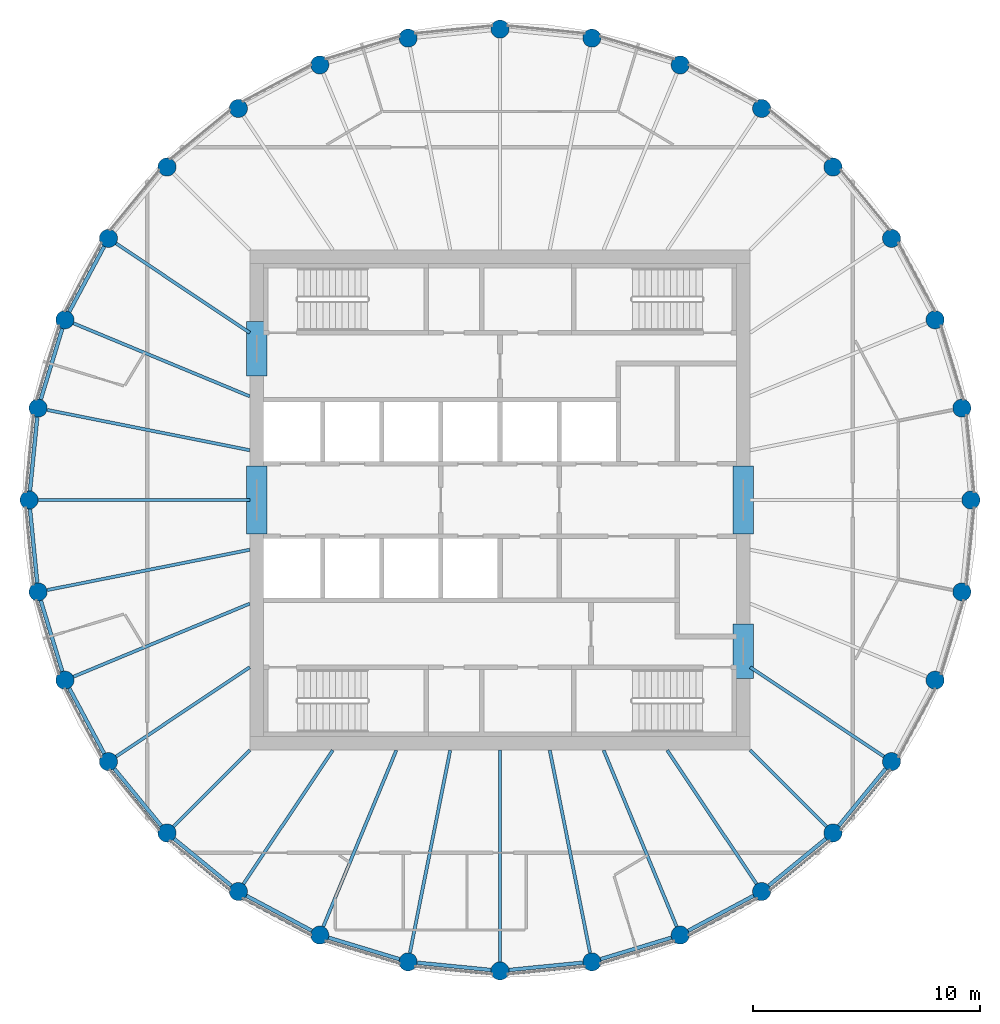
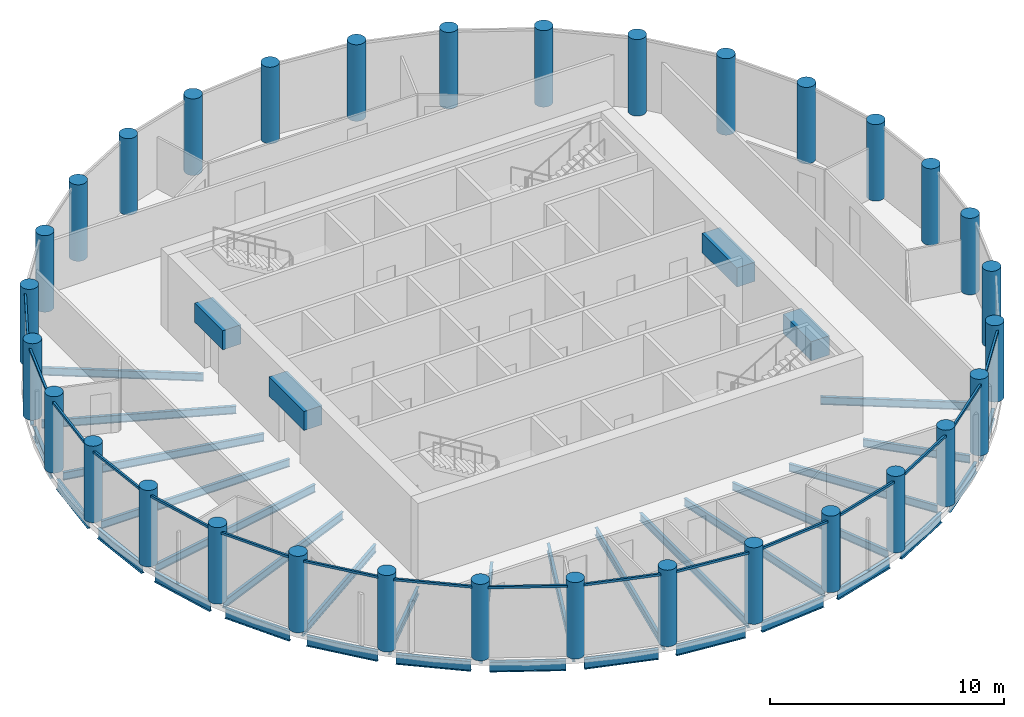
# One storey, part 1 of 7: 37 beams, 32 columns, 16 members, 16 elements without a shape of their own.
"""IFC4 building model written with IfcOpenShell, lengths in metres."""

from ifc_helpers import new_model, si_unit, direction, frame, origin, origin_2d, place, context, subcontext, project, spatial, rectangle, circle, i_section, extrude, material, material_profile, profile_set, type_object, element, aggregate, save


model = new_model("IFC4")

# Units and contexts
model_context = context("Model", 3, precision=1e-05, world=origin(), true_north=direction((0.0, 1.0)))
body_context = subcontext(model_context, "Body", "Model", "MODEL_VIEW")
ifc_project = project(units=[si_unit("LENGTHUNIT", "METRE"), si_unit("AREAUNIT", "SQUARE_METRE"), si_unit("VOLUMEUNIT", "CUBIC_METRE"), si_unit("PLANEANGLEUNIT", "RADIAN"), si_unit("MASSUNIT", "GRAM", prefix="KILO")], contexts=[model_context])

# Site, building, storey
site_placement = place(None, origin())
site = spatial("IfcSite", under=ifc_project, at=site_placement, CompositionType="ELEMENT")
building_placement = place(site_placement, origin())
building = spatial("IfcBuilding", under=site, at=building_placement, Name="Corvane Civic Tower", CompositionType="ELEMENT")
storey_placement = place(building_placement, frame((0.0, 0.0, 372.5)))
storey = spatial("IfcBuildingStorey", under=building, at=storey_placement, Name="L89", CompositionType="ELEMENT", Elevation=372.5)

# Columns
ifc_material_1 = material(Name="Concrete C60/75", Category="concrete")
ifc_material_profile_1 = material_profile(ifc_material_1, circle(Radius=0.39990234375, at=origin_2d()), Name="COLUMN 800")
ifc_profile_set_1 = profile_set([ifc_material_profile_1], Name="Concrete C60/75")
column_type = type_object("IfcColumnType", Name="RC COLUMN COLUMN 800", PredefinedType="COLUMN", material=ifc_profile_set_1)
for number, where, z_axis, x_axis, name in (
    (1, (0.0, 20.699951171875, 0.0), (0.0, 0.0, 1.0), (1.0, 0.0, 0.0), "COL-L89-F01"),
    (2, (4.038330078125, 20.30224609375, 0.0), (0.0, 0.0, 1.0), (1.0, 0.0, 0.0), "COL-L89-F02"),
    (3, (7.921630859375, 19.124267578125, 0.0), (0.0, 0.0, 1.0), (1.0, 0.0, 0.0), "COL-L89-F03"),
    (4, (11.500244140625, 17.21142578125, 0.0), (0.0, 0.0, 1.0), (1.0, 0.0, 0.0), "COL-L89-F04"),
    (5, (14.63720703125, 14.63720703125, 0.0), (0.0, 0.0, 1.0), (1.0, 0.0, 0.0), "COL-L89-F05"),
    (6, (17.21142578125, 11.500244140625, 0.0), (0.0, 0.0, 1.0), (1.0, 0.0, 0.0), "COL-L89-F06"),
    (7, (19.124267578125, 7.921630859375, 0.0), (0.0, 0.0, 1.0), (1.0, 0.0, 0.0), "COL-L89-F07"),
    (8, (20.30224609375, 4.038330078125, 0.0), (0.0, 0.0, 1.0), (1.0, 0.0, 0.0), "COL-L89-F08"),
    (9, (20.699951171875, 0.0, 0.0), (0.0, 0.0, 1.0), (1.0, 0.0, 0.0), "COL-L89-F09"),
    (10, (20.30224609375, -4.038330078125, 0.0), (0.0, 0.0, 1.0), (1.0, 0.0, 0.0), "COL-L89-F10"),
    (11, (19.124267578125, -7.921630859375, 0.0), (0.0, 0.0, 1.0), (1.0, 0.0, 0.0), "COL-L89-F11"),
    (12, (17.21142578125, -11.500244140625, 0.0), (0.0, 0.0, 1.0), (1.0, 0.0, 0.0), "COL-L89-F12"),
    (13, (14.63720703125, -14.63720703125, 0.0), (0.0, 0.0, 1.0), (1.0, 0.0, 0.0), "COL-L89-F13"),
    (14, (11.500244140625, -17.21142578125, 0.0), (0.0, 0.0, 1.0), (1.0, 0.0, 0.0), "COL-L89-F14"),
    (15, (7.921630859375, -19.124267578125, 0.0), (0.0, 0.0, 1.0), (1.0, 0.0, 0.0), "COL-L89-F15"),
    (16, (4.038330078125, -20.30224609375, 0.0), (0.0, 0.0, 1.0), (1.0, 0.0, 0.0), "COL-L89-F16"),
    (17, (0.0, -20.699951171875, 0.0), (0.0, 0.0, 1.0), (1.0, 0.0, 0.0), "COL-L89-F17"),
    (18, (-4.038330078125, -20.30224609375, 0.0), (0.0, 0.0, 1.0), (1.0, 0.0, 0.0), "COL-L89-F18"),
    (19, (-7.921630859375, -19.124267578125, 0.0), (0.0, 0.0, 1.0), (1.0, 0.0, 0.0), "COL-L89-F19"),
    (20, (-11.500244140625, -17.21142578125, 0.0), (0.0, 0.0, 1.0), (1.0, 0.0, 0.0), "COL-L89-F20"),
    (21, (-14.63720703125, -14.63720703125, 0.0), (0.0, 0.0, 1.0), (1.0, 0.0, 0.0), "COL-L89-F21"),
    (22, (-17.21142578125, -11.500244140625, 0.0), (0.0, 0.0, 1.0), (1.0, 0.0, 0.0), "COL-L89-F22"),
    (23, (-19.124267578125, -7.921630859375, 0.0), (0.0, 0.0, 1.0), (1.0, 0.0, 0.0), "COL-L89-F23"),
    (24, (-20.30224609375, -4.038330078125, 0.0), (0.0, 0.0, 1.0), (1.0, 0.0, 0.0), "COL-L89-F24"),
    (25, (-20.699951171875, 0.0, 0.0), (0.0, 0.0, 1.0), (1.0, 0.0, 0.0), "COL-L89-F25"),
    (26, (-20.30224609375, 4.038330078125, 0.0), (0.0, 0.0, 1.0), (1.0, 0.0, 0.0), "COL-L89-F26"),
    (27, (-19.124267578125, 7.921630859375, 0.0), (0.0, 0.0, 1.0), (1.0, 0.0, 0.0), "COL-L89-F27"),
    (28, (-17.21142578125, 11.500244140625, 0.0), (0.0, 0.0, 1.0), (1.0, 0.0, 0.0), "COL-L89-F28"),
    (29, (-14.63720703125, 14.63720703125, 0.0), (0.0, 0.0, 1.0), (1.0, 0.0, 0.0), "COL-L89-F29"),
    (30, (-11.500244140625, 17.21142578125, 0.0), (0.0, 0.0, 1.0), (1.0, 0.0, 0.0), "COL-L89-F30"),
    (31, (-7.921630859375, 19.124267578125, 0.0), (0.0, 0.0, 1.0), (1.0, 0.0, 0.0), "COL-L89-F31"),
    (32, (-4.038330078125, 20.30224609375, 0.0), (0.0, 0.0, 1.0), (1.0, 0.0, 0.0), "COL-L89-F32"),
):
    element("IfcColumn", number, at=place(storey_placement, frame(where, z_axis=z_axis, x_axis=x_axis)), inside=storey, type_object=column_type, Name=name, PredefinedType="COLUMN", context=body_context, shape_type="SweptSolid", body=[
        extrude(circle(Radius=0.39990234375, at=origin_2d()), origin(), (0.0, 0.0, 1.0), 4.0),
    ])

# Beams
ifc_material_2 = material(Name="Concrete C40/50", Category="concrete")
ifc_material_profile_2 = material_profile(ifc_material_2, rectangle(XDim=0.89990234375, YDim=1.0, at=origin_2d()), Name="COUPLING BEAM 900X1000")
ifc_profile_set_2 = profile_set([ifc_material_profile_2], Name="Concrete C40/50")
beam_type_1 = type_object("IfcBeamType", Name="COUPLING BEAM COUPLING BEAM 900X1000", PredefinedType="BEAM", material=ifc_profile_set_2)
for number, where, z_axis, x_axis, name in (
    (33, (-10.699951171875, -1.5, 2.60009765625), (0.0, 1.0, 0.0), (-1.0, 0.0, 0.0), "BM-L89-cpl-CW-LW"),
    (34, (10.699951171875, -1.5, 2.60009765625), (0.0, 1.0, 0.0), (-1.0, 0.0, 0.0), "BM-L89-cpl-CW-LE"),
):
    element("IfcBeam", number, at=place(storey_placement, frame(where, z_axis=z_axis, x_axis=x_axis)), inside=storey, type_object=beam_type_1, Name=name, PredefinedType="BEAM", context=body_context, shape_type="SweptSolid", body=[
        extrude(rectangle(XDim=0.89990234375, YDim=1.0, at=origin_2d()), origin(), (0.0, 0.0, 1.0), 3.0),
    ])
for number, where, z_axis, x_axis, name in (
    (35, (-10.699951171875, 5.449951171875, 2.60009765625), (0.0, 1.0, 0.0), (-1.0, 0.0, 0.0), "BM-L89-cpl-CW-WN"),
    (36, (10.699951171875, -7.85009765625, 2.60009765625), (0.0, 1.0, 0.0), (-1.0, 0.0, 0.0), "BM-L89-cpl-CW-ES"),
):
    element("IfcBeam", number, at=place(storey_placement, frame(where, z_axis=z_axis, x_axis=x_axis)), inside=storey, type_object=beam_type_1, Name=name, PredefinedType="BEAM", context=body_context, shape_type="SweptSolid", body=[
        extrude(rectangle(XDim=0.89990234375, YDim=1.0, at=origin_2d()), origin(), (0.0, 0.0, 1.0), 2.400146484375),
    ])
ifc_material_3 = material(Name="Steel ASTM A992 Gr 50", Category="steel")
ifc_material_profile_3 = material_profile(ifc_material_3, i_section(OverallWidth=0.165771484375, OverallDepth=0.5283203125, WebThickness=0.009765625, FlangeThickness=0.013671875, at=origin_2d()), Name="W21X50")
ifc_profile_set_3 = profile_set([ifc_material_profile_3], Name="Steel ASTM A992 Gr 50")
beam_type_2 = type_object("IfcBeamType", Name="EDGE BEAM W21X50", PredefinedType="BEAM", material=ifc_profile_set_3)
for number, where, z_axis, x_axis, name in (
    (37, (16.957763671875, -11.8095703125, -0.564208984375), (-0.634424551454, -0.772984791903, 0.0), (0.772984791903, -0.634424551454, 0.0), "BM-L89-E12"),
    (38, (14.327880859375, -14.890869140625, -0.564208984375), (-0.772984791903, -0.634424551454, 0.0), (0.634424551454, -0.772984791903, 0.0), "BM-L89-E13"),
    (39, (11.1474609375, -17.39990234375, -0.564208984375), (-0.881894065907, -0.471447618, 0.0), (0.471447618, -0.881894065907, 0.0), "BM-L89-E14"),
    (40, (7.538818359375, -19.240478515625, -0.564208984375), (-0.956955679349, -0.290234091317, 0.0), (0.290234091317, -0.956955679349, 0.0), "BM-L89-E15"),
):
    element("IfcBeam", number, at=place(storey_placement, frame(where, z_axis=z_axis, x_axis=x_axis)), inside=storey, type_object=beam_type_2, Name=name, PredefinedType="BEAM", context=body_context, shape_type="SweptSolid", body=[
        extrude(i_section(OverallWidth=0.165771484375, OverallDepth=0.5283203125, WebThickness=0.009765625, FlangeThickness=0.013671875, at=origin_2d()), origin(), (0.0, 0.0, 1.0), 3.2578125),
    ])
for number, where, z_axis, x_axis, name in (
    (41, (3.640380859375, -20.341552734375, -0.564208984375), (-0.995192503142, -0.097938152369, 0.0), (0.097938152369, -0.995192503142, 0.0), "BM-L89-E16"),
    (42, (-0.39794921875, -20.66064453125, -0.564208984375), (-0.995192503142, 0.097938152369, 0.0), (-0.097938152369, -0.995192503142, 0.0), "BM-L89-E17"),
):
    element("IfcBeam", number, at=place(storey_placement, frame(where, z_axis=z_axis, x_axis=x_axis)), inside=storey, type_object=beam_type_2, Name=name, PredefinedType="BEAM", context=body_context, shape_type="SweptSolid", body=[
        extrude(i_section(OverallWidth=0.165771484375, OverallDepth=0.5283203125, WebThickness=0.009765625, FlangeThickness=0.013671875, at=origin_2d()), origin(), (0.0, 0.0, 1.0), 3.258056640625),
    ])
for number, where, z_axis, x_axis, name in (
    (43, (-4.421142578125, -20.18603515625, -0.564208984375), (-0.956955679349, 0.290234091317, 0.0), (-0.290234091317, -0.956955679349, 0.0), "BM-L89-E18"),
    (44, (-8.2744140625, -18.935791015625, -0.564208984375), (-0.881894065907, 0.471447618, 0.0), (-0.471447618, -0.881894065907, 0.0), "BM-L89-E19"),
    (45, (-11.8095703125, -16.957763671875, -0.564208984375), (-0.772984791903, 0.634424551454, 0.0), (-0.634424551454, -0.772984791903, 0.0), "BM-L89-E20"),
    (46, (-14.890869140625, -14.327880859375, -0.564208984375), (-0.634424551454, 0.772984791903, 0.0), (-0.772984791903, -0.634424551454, 0.0), "BM-L89-E21"),
    (47, (-17.39990234375, -11.1474609375, -0.564208984375), (-0.471447618, 0.881894065907, 0.0), (-0.881894065907, -0.471447618, 0.0), "BM-L89-E22"),
    (48, (-19.240478515625, -7.538818359375, -0.564208984375), (-0.290234091317, 0.956955679349, 0.0), (-0.956955679349, -0.290234091317, 0.0), "BM-L89-E23"),
):
    element("IfcBeam", number, at=place(storey_placement, frame(where, z_axis=z_axis, x_axis=x_axis)), inside=storey, type_object=beam_type_2, Name=name, PredefinedType="BEAM", context=body_context, shape_type="SweptSolid", body=[
        extrude(i_section(OverallWidth=0.165771484375, OverallDepth=0.5283203125, WebThickness=0.009765625, FlangeThickness=0.013671875, at=origin_2d()), origin(), (0.0, 0.0, 1.0), 3.2578125),
    ])
for number, where, z_axis, x_axis, name in (
    (49, (-20.341552734375, -3.640380859375, -0.564208984375), (-0.097938152369, 0.995192503142, 0.0), (-0.995192503142, -0.097938152369, 0.0), "BM-L89-E24"),
    (50, (-20.66064453125, 0.39794921875, -0.564208984375), (0.097938152369, 0.995192503142, 0.0), (-0.995192503142, 0.097938152369, 0.0), "BM-L89-E25"),
):
    element("IfcBeam", number, at=place(storey_placement, frame(where, z_axis=z_axis, x_axis=x_axis)), inside=storey, type_object=beam_type_2, Name=name, PredefinedType="BEAM", context=body_context, shape_type="SweptSolid", body=[
        extrude(i_section(OverallWidth=0.165771484375, OverallDepth=0.5283203125, WebThickness=0.009765625, FlangeThickness=0.013671875, at=origin_2d()), origin(), (0.0, 0.0, 1.0), 3.258056640625),
    ])
for number, where, z_axis, x_axis, name in (
    (51, (-20.18603515625, 4.421142578125, -0.564208984375), (0.290234091317, 0.956955679349, 0.0), (-0.956955679349, 0.290234091317, 0.0), "BM-L89-E26"),
    (52, (-18.935791015625, 8.2744140625, -0.564208984375), (0.471447618, 0.881894065907, 0.0), (-0.881894065907, 0.471447618, 0.0), "BM-L89-E27"),
):
    element("IfcBeam", number, at=place(storey_placement, frame(where, z_axis=z_axis, x_axis=x_axis)), inside=storey, type_object=beam_type_2, Name=name, PredefinedType="BEAM", context=body_context, shape_type="SweptSolid", body=[
        extrude(i_section(OverallWidth=0.165771484375, OverallDepth=0.5283203125, WebThickness=0.009765625, FlangeThickness=0.013671875, at=origin_2d()), origin(), (0.0, 0.0, 1.0), 3.2578125),
    ])
ifc_material_4 = material(Name="Steel ASTM A992 Gr 50", Category="steel")
ifc_material_profile_4 = material_profile(ifc_material_4, i_section(OverallWidth=0.140380859375, OverallDepth=0.40380859375, WebThickness=0.007080078125, FlangeThickness=0.01123046875, at=origin_2d()), Name="W16X31")
ifc_profile_set_4 = profile_set([ifc_material_profile_4], Name="Steel ASTM A992 Gr 50")
beam_type_3 = type_object("IfcBeamType", Name="FLOOR GIRDER W16X31", PredefinedType="BEAM", material=ifc_profile_set_4)
beam_1_placement = place(storey_placement, frame((11.0, -7.349853515625, -0.501953125), z_axis=(0.831465490699, -0.555576401385, 0.0), x_axis=(0.555576401385, 0.831465490699, 0.0)))
element("IfcBeam", 53, at=beam_1_placement, inside=storey, type_object=beam_type_3, Name="BM-L89-G12", PredefinedType="BEAM", context=body_context, shape_type="SweptSolid", body=[
    extrude(i_section(OverallWidth=0.140380859375, OverallDepth=0.40380859375, WebThickness=0.007080078125, FlangeThickness=0.01123046875, at=origin_2d()), origin(), (0.0, 0.0, 1.0), 7.070556640625),
])
beam_2_placement = place(storey_placement, frame((11.0, -11.0, -0.501953125), z_axis=(0.707106781187, -0.707106781187, 0.0), x_axis=(0.707106781187, 0.707106781187, 0.0)))
element("IfcBeam", 54, at=beam_2_placement, inside=storey, type_object=beam_type_3, Name="BM-L89-G13", PredefinedType="BEAM", context=body_context, shape_type="SweptSolid", body=[
    extrude(i_section(OverallWidth=0.140380859375, OverallDepth=0.40380859375, WebThickness=0.007080078125, FlangeThickness=0.01123046875, at=origin_2d()), origin(), (0.0, 0.0, 1.0), 4.74365234375),
])
beam_3_placement = place(storey_placement, frame((7.349853515625, -11.0, -0.501953125), z_axis=(0.555576401385, -0.831465490699, 0.0), x_axis=(0.831465490699, 0.555576401385, 0.0)))
element("IfcBeam", 55, at=beam_3_placement, inside=storey, type_object=beam_type_3, Name="BM-L89-G14", PredefinedType="BEAM", context=body_context, shape_type="SweptSolid", body=[
    extrude(i_section(OverallWidth=0.140380859375, OverallDepth=0.40380859375, WebThickness=0.007080078125, FlangeThickness=0.01123046875, at=origin_2d()), origin(), (0.0, 0.0, 1.0), 7.070556640625),
])
beam_4_placement = place(storey_placement, frame((4.556396484375, -11.0, -0.501953125), z_axis=(0.382691739894, -0.923876091377, 0.0), x_axis=(0.923876091377, 0.382691739894, 0.0)))
element("IfcBeam", 56, at=beam_4_placement, inside=storey, type_object=beam_type_3, Name="BM-L89-G15", PredefinedType="BEAM", context=body_context, shape_type="SweptSolid", body=[
    extrude(i_section(OverallWidth=0.140380859375, OverallDepth=0.40380859375, WebThickness=0.007080078125, FlangeThickness=0.01123046875, at=origin_2d()), origin(), (0.0, 0.0, 1.0), 8.3935546875),
])
beam_5_placement = place(storey_placement, frame((2.18798828125, -11.0, -0.501953125), z_axis=(0.195108241061, -0.980781715913, 0.0), x_axis=(0.980781715913, 0.195108241061, 0.0)))
element("IfcBeam", 57, at=beam_5_placement, inside=storey, type_object=beam_type_3, Name="BM-L89-G16", PredefinedType="BEAM", context=body_context, shape_type="SweptSolid", body=[
    extrude(i_section(OverallWidth=0.140380859375, OverallDepth=0.40380859375, WebThickness=0.007080078125, FlangeThickness=0.01123046875, at=origin_2d()), origin(), (0.0, 0.0, 1.0), 9.08447265625),
])
beam_6_placement = place(storey_placement, frame((0.0, -11.0, -0.501953125), z_axis=(0.0, -1.0, 0.0), x_axis=(1.0, 0.0, 0.0)))
element("IfcBeam", 58, at=beam_6_placement, inside=storey, type_object=beam_type_3, Name="BM-L89-G17", PredefinedType="BEAM", context=body_context, shape_type="SweptSolid", body=[
    extrude(i_section(OverallWidth=0.140380859375, OverallDepth=0.40380859375, WebThickness=0.007080078125, FlangeThickness=0.01123046875, at=origin_2d()), origin(), (0.0, 0.0, 1.0), 9.300048828125),
])
beam_7_placement = place(storey_placement, frame((-2.18798828125, -11.0, -0.501953125), z_axis=(-0.195108241061, -0.980781715913, 0.0), x_axis=(0.980781715913, -0.195108241061, 0.0)))
element("IfcBeam", 59, at=beam_7_placement, inside=storey, type_object=beam_type_3, Name="BM-L89-G18", PredefinedType="BEAM", context=body_context, shape_type="SweptSolid", body=[
    extrude(i_section(OverallWidth=0.140380859375, OverallDepth=0.40380859375, WebThickness=0.007080078125, FlangeThickness=0.01123046875, at=origin_2d()), origin(), (0.0, 0.0, 1.0), 9.08447265625),
])
beam_8_placement = place(storey_placement, frame((-4.556396484375, -11.0, -0.501953125), z_axis=(-0.382691739894, -0.923876091377, 0.0), x_axis=(0.923876091377, -0.382691739894, 0.0)))
element("IfcBeam", 60, at=beam_8_placement, inside=storey, type_object=beam_type_3, Name="BM-L89-G19", PredefinedType="BEAM", context=body_context, shape_type="SweptSolid", body=[
    extrude(i_section(OverallWidth=0.140380859375, OverallDepth=0.40380859375, WebThickness=0.007080078125, FlangeThickness=0.01123046875, at=origin_2d()), origin(), (0.0, 0.0, 1.0), 8.3935546875),
])
beam_9_placement = place(storey_placement, frame((-7.349853515625, -11.0, -0.501953125), z_axis=(-0.555576401385, -0.831465490699, 0.0), x_axis=(0.831465490699, -0.555576401385, 0.0)))
element("IfcBeam", 61, at=beam_9_placement, inside=storey, type_object=beam_type_3, Name="BM-L89-G20", PredefinedType="BEAM", context=body_context, shape_type="SweptSolid", body=[
    extrude(i_section(OverallWidth=0.140380859375, OverallDepth=0.40380859375, WebThickness=0.007080078125, FlangeThickness=0.01123046875, at=origin_2d()), origin(), (0.0, 0.0, 1.0), 7.070556640625),
])
beam_10_placement = place(storey_placement, frame((-11.0, -11.0, -0.501953125), z_axis=(-0.707106781187, -0.707106781187, 0.0), x_axis=(0.707106781187, -0.707106781187, 0.0)))
element("IfcBeam", 62, at=beam_10_placement, inside=storey, type_object=beam_type_3, Name="BM-L89-G21", PredefinedType="BEAM", context=body_context, shape_type="SweptSolid", body=[
    extrude(i_section(OverallWidth=0.140380859375, OverallDepth=0.40380859375, WebThickness=0.007080078125, FlangeThickness=0.01123046875, at=origin_2d()), origin(), (0.0, 0.0, 1.0), 4.74365234375),
])
beam_11_placement = place(storey_placement, frame((-11.0, -7.349853515625, -0.501953125), z_axis=(-0.831465490699, -0.555576401385, 0.0), x_axis=(0.555576401385, -0.831465490699, 0.0)))
element("IfcBeam", 63, at=beam_11_placement, inside=storey, type_object=beam_type_3, Name="BM-L89-G22", PredefinedType="BEAM", context=body_context, shape_type="SweptSolid", body=[
    extrude(i_section(OverallWidth=0.140380859375, OverallDepth=0.40380859375, WebThickness=0.007080078125, FlangeThickness=0.01123046875, at=origin_2d()), origin(), (0.0, 0.0, 1.0), 7.070556640625),
])
beam_12_placement = place(storey_placement, frame((-11.0, -4.556396484375, -0.501953125), z_axis=(-0.923876091377, -0.382691739894, 0.0), x_axis=(0.382691739894, -0.923876091377, 0.0)))
element("IfcBeam", 64, at=beam_12_placement, inside=storey, type_object=beam_type_3, Name="BM-L89-G23", PredefinedType="BEAM", context=body_context, shape_type="SweptSolid", body=[
    extrude(i_section(OverallWidth=0.140380859375, OverallDepth=0.40380859375, WebThickness=0.007080078125, FlangeThickness=0.01123046875, at=origin_2d()), origin(), (0.0, 0.0, 1.0), 8.3935546875),
])
beam_13_placement = place(storey_placement, frame((-11.0, -2.18798828125, -0.501953125), z_axis=(-0.980781715913, -0.195108241061, 0.0), x_axis=(0.195108241061, -0.980781715913, 0.0)))
element("IfcBeam", 65, at=beam_13_placement, inside=storey, type_object=beam_type_3, Name="BM-L89-G24", PredefinedType="BEAM", context=body_context, shape_type="SweptSolid", body=[
    extrude(i_section(OverallWidth=0.140380859375, OverallDepth=0.40380859375, WebThickness=0.007080078125, FlangeThickness=0.01123046875, at=origin_2d()), origin(), (0.0, 0.0, 1.0), 9.08447265625),
])
beam_14_placement = place(storey_placement, frame((-11.0, 0.0, -0.501953125), z_axis=(-1.0, 0.0, 0.0), x_axis=(0.0, -1.0, 0.0)))
element("IfcBeam", 66, at=beam_14_placement, inside=storey, type_object=beam_type_3, Name="BM-L89-G25", PredefinedType="BEAM", context=body_context, shape_type="SweptSolid", body=[
    extrude(i_section(OverallWidth=0.140380859375, OverallDepth=0.40380859375, WebThickness=0.007080078125, FlangeThickness=0.01123046875, at=origin_2d()), origin(), (0.0, 0.0, 1.0), 9.300048828125),
])
beam_15_placement = place(storey_placement, frame((-11.0, 2.18798828125, -0.501953125), z_axis=(-0.980781715913, 0.195108241061, 0.0), x_axis=(-0.195108241061, -0.980781715913, 0.0)))
element("IfcBeam", 67, at=beam_15_placement, inside=storey, type_object=beam_type_3, Name="BM-L89-G26", PredefinedType="BEAM", context=body_context, shape_type="SweptSolid", body=[
    extrude(i_section(OverallWidth=0.140380859375, OverallDepth=0.40380859375, WebThickness=0.007080078125, FlangeThickness=0.01123046875, at=origin_2d()), origin(), (0.0, 0.0, 1.0), 9.08447265625),
])
beam_16_placement = place(storey_placement, frame((-11.0, 4.556396484375, -0.501953125), z_axis=(-0.923876091377, 0.382691739894, 0.0), x_axis=(-0.382691739894, -0.923876091377, 0.0)))
element("IfcBeam", 68, at=beam_16_placement, inside=storey, type_object=beam_type_3, Name="BM-L89-G27", PredefinedType="BEAM", context=body_context, shape_type="SweptSolid", body=[
    extrude(i_section(OverallWidth=0.140380859375, OverallDepth=0.40380859375, WebThickness=0.007080078125, FlangeThickness=0.01123046875, at=origin_2d()), origin(), (0.0, 0.0, 1.0), 8.3935546875),
])
beam_17_placement = place(storey_placement, frame((-11.0, 7.349853515625, -0.501953125), z_axis=(-0.831465490699, 0.555576401385, 0.0), x_axis=(-0.555576401385, -0.831465490699, 0.0)))
element("IfcBeam", 69, at=beam_17_placement, inside=storey, type_object=beam_type_3, Name="BM-L89-G28", PredefinedType="BEAM", context=body_context, shape_type="SweptSolid", body=[
    extrude(i_section(OverallWidth=0.140380859375, OverallDepth=0.40380859375, WebThickness=0.007080078125, FlangeThickness=0.01123046875, at=origin_2d()), origin(), (0.0, 0.0, 1.0), 7.070556640625),
])

# Curtain wall, member
ifc_material_5 = material(Name="Anodised aluminium bronze", Category="aluminium")
curtain_wall_type = type_object("IfcCurtainWallType", Name="TOWER CW-T3 STICK CURTAIN WALL", PredefinedType="NOTDEFINED", material=ifc_material_5)
curtain_wall_1_placement = place(storey_placement, origin())
curtain_wall_1 = element("IfcCurtainWall", 70, at=curtain_wall_1_placement, inside=storey, type_object=curtain_wall_type, Name="Curtain wall CW-T3 L89 bay 12", PredefinedType="NOTDEFINED")
ifc_material_6 = material(Name="Anodised aluminium bronze", Category="aluminium")
ifc_material_profile_5 = material_profile(ifc_material_6, rectangle(XDim=0.10009765625, YDim=0.1201171875, at=origin_2d()), Name="TOWER CW-T3 TRANSOM 100x120")
ifc_profile_set_5 = profile_set([ifc_material_profile_5], Name="Anodised aluminium bronze")
member_type = type_object("IfcMemberType", Name="TOWER CW-T3 TRANSOM 100x120", PredefinedType="USERDEFINED", material=ifc_profile_set_5)
member_1_placement = place(storey_placement, frame((17.14208984375, -11.8671875, 3.68994140625), z_axis=(-0.634393571736, -0.773010217358, 0.0), x_axis=(0.773010217358, -0.634393571736, 0.0)))
member_1 = element("IfcMember", 71, at=member_1_placement, type_object=member_type, Name="Transom CW-T3 L89 12.1", ObjectType="TRANSOM", PredefinedType="USERDEFINED", context=body_context, shape_type="SweptSolid", body=[
    extrude(rectangle(XDim=0.10009765625, YDim=0.1201171875, at=origin_2d()), origin(), (0.0, 0.0, 1.0), 3.40283203125),
])
aggregate(curtain_wall_1, [member_1])

curtain_wall_2_placement = place(storey_placement, origin())
curtain_wall_2 = element("IfcCurtainWall", 72, at=curtain_wall_2_placement, inside=storey, type_object=curtain_wall_type, Name="Curtain wall CW-T3 L89 bay 13", PredefinedType="NOTDEFINED")
member_2_placement = place(storey_placement, frame((14.49755859375, -14.9833984375, 3.68994140625), z_axis=(-0.773010217358, -0.634393571736, 0.0), x_axis=(0.634393571736, -0.773010217358, 0.0)))
member_2 = element("IfcMember", 73, at=member_2_placement, type_object=member_type, Name="Transom CW-T3 L89 13.1", ObjectType="TRANSOM", PredefinedType="USERDEFINED", context=body_context, shape_type="SweptSolid", body=[
    extrude(rectangle(XDim=0.10009765625, YDim=0.1201171875, at=origin_2d()), origin(), (0.0, 0.0, 1.0), 3.40283203125),
])
aggregate(curtain_wall_2, [member_2])

curtain_wall_3_placement = place(storey_placement, origin())
curtain_wall_3 = element("IfcCurtainWall", 74, at=curtain_wall_3_placement, inside=storey, type_object=curtain_wall_type, Name="Curtain wall CW-T3 L89 bay 14", PredefinedType="NOTDEFINED")
member_3_placement = place(storey_placement, frame((11.295654296875, -17.52392578125, 3.68994140625), z_axis=(-0.881941440444, -0.471358988063, 0.0), x_axis=(0.471358988063, -0.881941440444, 0.0)))
member_3 = element("IfcMember", 75, at=member_3_placement, type_object=member_type, Name="Transom CW-T3 L89 14.1", ObjectType="TRANSOM", PredefinedType="USERDEFINED", context=body_context, shape_type="SweptSolid", body=[
    extrude(rectangle(XDim=0.10009765625, YDim=0.1201171875, at=origin_2d()), origin(), (0.0, 0.0, 1.0), 3.40234375),
])
aggregate(curtain_wall_3, [member_3])

curtain_wall_4_placement = place(storey_placement, origin())
curtain_wall_4 = element("IfcCurtainWall", 76, at=curtain_wall_4_placement, inside=storey, type_object=curtain_wall_type, Name="Curtain wall CW-T3 L89 bay 15", PredefinedType="NOTDEFINED")
member_4_placement = place(storey_placement, frame((7.66015625, -19.390869140625, 3.68994140625), z_axis=(-0.956961022204, -0.290216474345, 0.0), x_axis=(0.290216474345, -0.956961022204, 0.0)))
member_4 = element("IfcMember", 77, at=member_4_placement, type_object=member_type, Name="Transom CW-T3 L89 15.1", ObjectType="TRANSOM", PredefinedType="USERDEFINED", context=body_context, shape_type="SweptSolid", body=[
    extrude(rectangle(XDim=0.10009765625, YDim=0.1201171875, at=origin_2d()), origin(), (0.0, 0.0, 1.0), 3.40283203125),
])
aggregate(curtain_wall_4, [member_4])

curtain_wall_5_placement = place(storey_placement, origin())
curtain_wall_5 = element("IfcCurtainWall", 78, at=curtain_wall_5_placement, inside=storey, type_object=curtain_wall_type, Name="Curtain wall CW-T3 L89 bay 16", PredefinedType="NOTDEFINED")
member_5_placement = place(storey_placement, frame((3.729736328125, -20.5126953125, 3.68994140625), z_axis=(-0.995191564676, -0.097947688066, 0.0), x_axis=(0.097947688066, -0.995191564676, 0.0)))
member_5 = element("IfcMember", 79, at=member_5_placement, type_object=member_type, Name="Transom CW-T3 L89 16.1", ObjectType="TRANSOM", PredefinedType="USERDEFINED", context=body_context, shape_type="SweptSolid", body=[
    extrude(rectangle(XDim=0.10009765625, YDim=0.1201171875, at=origin_2d()), origin(), (0.0, 0.0, 1.0), 3.40234375),
])
aggregate(curtain_wall_5, [member_5])

curtain_wall_6_placement = place(storey_placement, origin())
curtain_wall_6 = element("IfcCurtainWall", 80, at=curtain_wall_6_placement, inside=storey, type_object=curtain_wall_type, Name="Curtain wall CW-T3 L89 bay 17", PredefinedType="NOTDEFINED")
member_6_placement = place(storey_placement, frame((-0.34375, -20.845947265625, 3.68994140625), z_axis=(-0.995191564676, 0.097947688066, 0.0), x_axis=(-0.097947688066, -0.995191564676, 0.0)))
member_6 = element("IfcMember", 81, at=member_6_placement, type_object=member_type, Name="Transom CW-T3 L89 17.1", ObjectType="TRANSOM", PredefinedType="USERDEFINED", context=body_context, shape_type="SweptSolid", body=[
    extrude(rectangle(XDim=0.10009765625, YDim=0.1201171875, at=origin_2d()), origin(), (0.0, 0.0, 1.0), 3.40234375),
])
aggregate(curtain_wall_6, [member_6])

curtain_wall_7_placement = place(storey_placement, origin())
curtain_wall_7 = element("IfcCurtainWall", 82, at=curtain_wall_7_placement, inside=storey, type_object=curtain_wall_type, Name="Curtain wall CW-T3 L89 bay 18", PredefinedType="NOTDEFINED")
member_7_placement = place(storey_placement, frame((-4.40380859375, -20.37841796875, 3.68994140625), z_axis=(-0.956961022204, 0.290216474345, 0.0), x_axis=(-0.290216474345, -0.956961022204, 0.0)))
member_7 = element("IfcMember", 83, at=member_7_placement, type_object=member_type, Name="Transom CW-T3 L89 18.1", ObjectType="TRANSOM", PredefinedType="USERDEFINED", context=body_context, shape_type="SweptSolid", body=[
    extrude(rectangle(XDim=0.10009765625, YDim=0.1201171875, at=origin_2d()), origin(), (0.0, 0.0, 1.0), 3.40283203125),
])
aggregate(curtain_wall_7, [member_7])

curtain_wall_8_placement = place(storey_placement, origin())
curtain_wall_8 = element("IfcCurtainWall", 84, at=curtain_wall_8_placement, inside=storey, type_object=curtain_wall_type, Name="Curtain wall CW-T3 L89 bay 19", PredefinedType="NOTDEFINED")
member_8_placement = place(storey_placement, frame((-8.294921875, -19.127685546875, 3.68994140625), z_axis=(-0.881941440444, 0.471358988063, 0.0), x_axis=(-0.471358988063, -0.881941440444, 0.0)))
member_8 = element("IfcMember", 85, at=member_8_placement, type_object=member_type, Name="Transom CW-T3 L89 19.1", ObjectType="TRANSOM", PredefinedType="USERDEFINED", context=body_context, shape_type="SweptSolid", body=[
    extrude(rectangle(XDim=0.10009765625, YDim=0.1201171875, at=origin_2d()), origin(), (0.0, 0.0, 1.0), 3.40234375),
])
aggregate(curtain_wall_8, [member_8])

curtain_wall_9_placement = place(storey_placement, origin())
curtain_wall_9 = element("IfcCurtainWall", 86, at=curtain_wall_9_placement, inside=storey, type_object=curtain_wall_type, Name="Curtain wall CW-T3 L89 bay 20", PredefinedType="NOTDEFINED")
member_9_placement = place(storey_placement, frame((-11.8671875, -17.14208984375, 3.68994140625), z_axis=(-0.773010217358, 0.634393571736, 0.0), x_axis=(-0.634393571736, -0.773010217358, 0.0)))
member_9 = element("IfcMember", 87, at=member_9_placement, type_object=member_type, Name="Transom CW-T3 L89 20.1", ObjectType="TRANSOM", PredefinedType="USERDEFINED", context=body_context, shape_type="SweptSolid", body=[
    extrude(rectangle(XDim=0.10009765625, YDim=0.1201171875, at=origin_2d()), origin(), (0.0, 0.0, 1.0), 3.40283203125),
])
aggregate(curtain_wall_9, [member_9])

curtain_wall_10_placement = place(storey_placement, origin())
curtain_wall_10 = element("IfcCurtainWall", 88, at=curtain_wall_10_placement, inside=storey, type_object=curtain_wall_type, Name="Curtain wall CW-T3 L89 bay 21", PredefinedType="NOTDEFINED")
member_10_placement = place(storey_placement, frame((-14.9833984375, -14.49755859375, 3.68994140625), z_axis=(-0.634393571736, 0.773010217358, 0.0), x_axis=(-0.773010217358, -0.634393571736, 0.0)))
member_10 = element("IfcMember", 89, at=member_10_placement, type_object=member_type, Name="Transom CW-T3 L89 21.1", ObjectType="TRANSOM", PredefinedType="USERDEFINED", context=body_context, shape_type="SweptSolid", body=[
    extrude(rectangle(XDim=0.10009765625, YDim=0.1201171875, at=origin_2d()), origin(), (0.0, 0.0, 1.0), 3.40283203125),
])
aggregate(curtain_wall_10, [member_10])

curtain_wall_11_placement = place(storey_placement, origin())
curtain_wall_11 = element("IfcCurtainWall", 90, at=curtain_wall_11_placement, inside=storey, type_object=curtain_wall_type, Name="Curtain wall CW-T3 L89 bay 22", PredefinedType="NOTDEFINED")
member_11_placement = place(storey_placement, frame((-17.52392578125, -11.295654296875, 3.68994140625), z_axis=(-0.471358988063, 0.881941440444, 0.0), x_axis=(-0.881941440444, -0.471358988063, 0.0)))
member_11 = element("IfcMember", 91, at=member_11_placement, type_object=member_type, Name="Transom CW-T3 L89 22.1", ObjectType="TRANSOM", PredefinedType="USERDEFINED", context=body_context, shape_type="SweptSolid", body=[
    extrude(rectangle(XDim=0.10009765625, YDim=0.1201171875, at=origin_2d()), origin(), (0.0, 0.0, 1.0), 3.40234375),
])
aggregate(curtain_wall_11, [member_11])

curtain_wall_12_placement = place(storey_placement, origin())
curtain_wall_12 = element("IfcCurtainWall", 92, at=curtain_wall_12_placement, inside=storey, type_object=curtain_wall_type, Name="Curtain wall CW-T3 L89 bay 23", PredefinedType="NOTDEFINED")
member_12_placement = place(storey_placement, frame((-19.390869140625, -7.66015625, 3.68994140625), z_axis=(-0.290216474345, 0.956961022204, 0.0), x_axis=(-0.956961022204, -0.290216474345, 0.0)))
member_12 = element("IfcMember", 93, at=member_12_placement, type_object=member_type, Name="Transom CW-T3 L89 23.1", ObjectType="TRANSOM", PredefinedType="USERDEFINED", context=body_context, shape_type="SweptSolid", body=[
    extrude(rectangle(XDim=0.10009765625, YDim=0.1201171875, at=origin_2d()), origin(), (0.0, 0.0, 1.0), 3.40283203125),
])
aggregate(curtain_wall_12, [member_12])

curtain_wall_13_placement = place(storey_placement, origin())
curtain_wall_13 = element("IfcCurtainWall", 94, at=curtain_wall_13_placement, inside=storey, type_object=curtain_wall_type, Name="Curtain wall CW-T3 L89 bay 24", PredefinedType="NOTDEFINED")
member_13_placement = place(storey_placement, frame((-20.5126953125, -3.729736328125, 3.68994140625), z_axis=(-0.097947688066, 0.995191564676, 0.0), x_axis=(-0.995191564676, -0.097947688066, 0.0)))
member_13 = element("IfcMember", 95, at=member_13_placement, type_object=member_type, Name="Transom CW-T3 L89 24.1", ObjectType="TRANSOM", PredefinedType="USERDEFINED", context=body_context, shape_type="SweptSolid", body=[
    extrude(rectangle(XDim=0.10009765625, YDim=0.1201171875, at=origin_2d()), origin(), (0.0, 0.0, 1.0), 3.40234375),
])
aggregate(curtain_wall_13, [member_13])

curtain_wall_14_placement = place(storey_placement, origin())
curtain_wall_14 = element("IfcCurtainWall", 96, at=curtain_wall_14_placement, inside=storey, type_object=curtain_wall_type, Name="Curtain wall CW-T3 L89 bay 25", PredefinedType="NOTDEFINED")
member_14_placement = place(storey_placement, frame((-20.845947265625, 0.34375, 3.68994140625), z_axis=(0.097947688066, 0.995191564676, 0.0), x_axis=(-0.995191564676, 0.097947688066, 0.0)))
member_14 = element("IfcMember", 97, at=member_14_placement, type_object=member_type, Name="Transom CW-T3 L89 25.1", ObjectType="TRANSOM", PredefinedType="USERDEFINED", context=body_context, shape_type="SweptSolid", body=[
    extrude(rectangle(XDim=0.10009765625, YDim=0.1201171875, at=origin_2d()), origin(), (0.0, 0.0, 1.0), 3.40234375),
])
aggregate(curtain_wall_14, [member_14])

curtain_wall_15_placement = place(storey_placement, origin())
curtain_wall_15 = element("IfcCurtainWall", 98, at=curtain_wall_15_placement, inside=storey, type_object=curtain_wall_type, Name="Curtain wall CW-T3 L89 bay 26", PredefinedType="NOTDEFINED")
member_15_placement = place(storey_placement, frame((-20.37841796875, 4.40380859375, 3.68994140625), z_axis=(0.290216474345, 0.956961022204, 0.0), x_axis=(-0.956961022204, 0.290216474345, 0.0)))
member_15 = element("IfcMember", 99, at=member_15_placement, type_object=member_type, Name="Transom CW-T3 L89 26.1", ObjectType="TRANSOM", PredefinedType="USERDEFINED", context=body_context, shape_type="SweptSolid", body=[
    extrude(rectangle(XDim=0.10009765625, YDim=0.1201171875, at=origin_2d()), origin(), (0.0, 0.0, 1.0), 3.40283203125),
])
aggregate(curtain_wall_15, [member_15])

curtain_wall_16_placement = place(storey_placement, origin())
curtain_wall_16 = element("IfcCurtainWall", 100, at=curtain_wall_16_placement, inside=storey, type_object=curtain_wall_type, Name="Curtain wall CW-T3 L89 bay 27", PredefinedType="NOTDEFINED")
member_16_placement = place(storey_placement, frame((-19.127685546875, 8.294921875, 3.68994140625), z_axis=(0.471358988063, 0.881941440444, 0.0), x_axis=(-0.881941440444, 0.471358988063, 0.0)))
member_16 = element("IfcMember", 101, at=member_16_placement, type_object=member_type, Name="Transom CW-T3 L89 27.1", ObjectType="TRANSOM", PredefinedType="USERDEFINED", context=body_context, shape_type="SweptSolid", body=[
    extrude(rectangle(XDim=0.10009765625, YDim=0.1201171875, at=origin_2d()), origin(), (0.0, 0.0, 1.0), 3.40234375),
])
aggregate(curtain_wall_16, [member_16])

save(model, "model.ifc")
